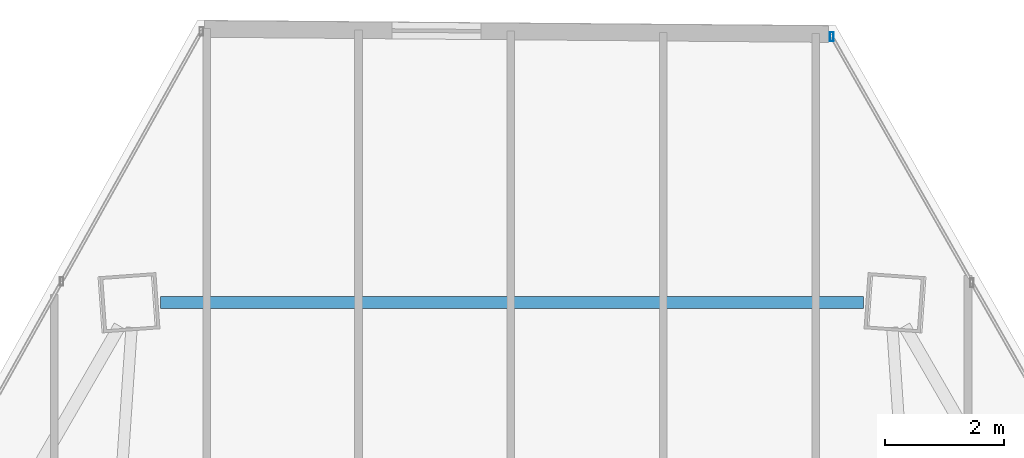
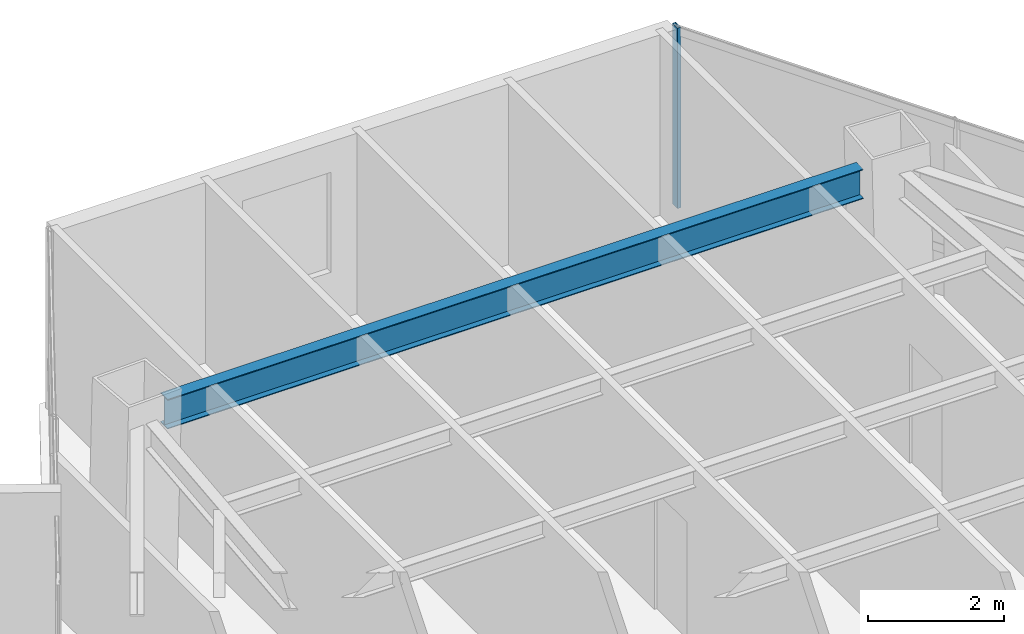
# One storey, part 29 of 40: 1 beam, 1 member, 1 element without a shape of its own.
"""IFC4 building model written with IfcOpenShell, lengths in metres."""

import ifcopenshell
import ifcopenshell.guid

model = None  # the IFC model being written
_history = None  # IfcOwnerHistory: only IFC2X3 demands one
_inside = {}  # id of a spatial element -> (the spatial element, [elements in it])
_under = {}  # id of a project, library or spatial element -> (it, [spatial elements below it])
_declared = {}  # id of a project -> (the project, [libraries it declares])
_typed = {}  # id of a type object -> (the type object, [elements of that type])
_made_of = {}  # id of a material, layer set ... -> (it, [elements and type objects made of it])


def new_model(schema):
    """Start an empty IFC model of exactly this schema.

    Asked for "IFC4X3", IfcOpenShell would pick the latest addendum, in which some entities
    have other attributes; the version numbers below select the first issue.
    IFC2X3 requires an IfcOwnerHistory on every rooted entity: one is made here for all.
    """
    global model, _history
    if schema == "IFC4X3":
        model = ifcopenshell.file(schema_version=(4, 3, 0, 0))
    else:
        model = ifcopenshell.file(schema=schema)
    _inside.clear()
    _under.clear()
    _declared.clear()
    _typed.clear()
    _made_of.clear()
    _history = None
    if model.schema == "IFC2X3":
        org = make("IfcOrganization", Name="unknown")
        user = make(
            "IfcPersonAndOrganization",
            ThePerson=make("IfcPerson", FamilyName="unknown"),
            TheOrganization=org,
        )
        app = make(
            "IfcApplication",
            ApplicationDeveloper=org,
            Version="unknown",
            ApplicationFullName="unknown",
            ApplicationIdentifier="unknown",
        )
        _history = make(
            "IfcOwnerHistory",
            OwningUser=user,
            OwningApplication=app,
            ChangeAction="ADDED",
            CreationDate=0,
        )
    return model


def make(cls, **values):
    """One entity of the class cls with the attributes given. An attribute that is None is left unset."""
    return model.create_entity(
        cls, **{name: value for name, value in values.items() if value is not None}
    )


def rooted(cls, **values):
    """An entity with a GlobalId (a new one), such as an element, a storey or a relation."""
    return make(cls, GlobalId=ifcopenshell.guid.new(), OwnerHistory=_history, **values)


def si_unit(unit_type, name, prefix=None):
    """IfcSIUnit, for example si_unit("LENGTHUNIT", "METRE", prefix="MILLI")."""
    return make("IfcSIUnit", UnitType=unit_type, Prefix=prefix, Name=name)


def assignment(units):
    """IfcUnitAssignment: the units of a project."""
    return None if units is None else make("IfcUnitAssignment", Units=units)


def point(xyz):
    """IfcCartesianPoint."""
    return None if xyz is None else make("IfcCartesianPoint", Coordinates=xyz)


def direction(xyz):
    """IfcDirection."""
    return None if xyz is None else make("IfcDirection", DirectionRatios=xyz)


def frame(location, z_axis=None, x_axis=None):
    """IfcAxis2Placement3D, a coordinate frame: its origin and axes. An axis left out is left unset."""
    return make(
        "IfcAxis2Placement3D",
        Location=point(location),
        Axis=direction(z_axis),
        RefDirection=direction(x_axis),
    )


def frame_2d(location, x_axis=None):
    """IfcAxis2Placement2D, a coordinate frame in the plane: its origin and x axis."""
    return make(
        "IfcAxis2Placement2D", Location=point(location), RefDirection=direction(x_axis)
    )


def origin():
    """The frame at (0, 0, 0) with its axes left unset."""
    return frame((0.0, 0.0, 0.0))


def origin_2d():
    """The frame at (0, 0) in the plane with its x axis left unset."""
    return frame_2d((0.0, 0.0))


def place(relative_to, where):
    """IfcLocalPlacement: puts the frame where relative to a parent placement (None: the world)."""
    return make(
        "IfcLocalPlacement", PlacementRelTo=relative_to, RelativePlacement=where
    )


def context(
    kind, dimensions, precision=None, world=None, true_north=None, identifier=None
):
    """IfcGeometricRepresentationContext, for example the 3D "Model" context."""
    return make(
        "IfcGeometricRepresentationContext",
        ContextIdentifier=identifier,
        ContextType=kind,
        CoordinateSpaceDimension=dimensions,
        Precision=precision,
        WorldCoordinateSystem=world,
        TrueNorth=true_north,
    )


def subcontext(parent, identifier, kind, view, scale=None):
    """IfcGeometricRepresentationSubContext, for example "Body" below "Model"."""
    return make(
        "IfcGeometricRepresentationSubContext",
        ContextIdentifier=identifier,
        ContextType=kind,
        ParentContext=parent,
        TargetScale=scale,
        TargetView=view,
    )


def project(units=None, contexts=None):
    """IfcProject with its units and contexts."""
    return rooted(
        "IfcProject",
        Name="project",
        RepresentationContexts=contexts,
        UnitsInContext=assignment(units),
    )


def spatial(cls, under=None, at=None, **own):
    """A site, building, storey or space (cls), placed at a placement, below another one or the project."""
    s = rooted(cls, ObjectPlacement=at, **own)
    if under is not None:
        _under.setdefault(under.id(), (under, []))[1].append(s)
    return s


def profile(cls, at=None, kind="AREA", **sizes):
    """A parametric profile (cls). Its sizes go by their IFC names, for example OverallWidth=200.0."""
    return make(cls, ProfileType=kind, Position=at, **sizes)


def hollow_rectangle(**sizes):
    """IfcRectangleHollowProfileDef."""
    return profile("IfcRectangleHollowProfileDef", **sizes)


def i_section(**sizes):
    """IfcIShapeProfileDef."""
    return profile("IfcIShapeProfileDef", **sizes)


def extrude(swept, where, along, depth):
    """IfcExtrudedAreaSolid: the profile swept, set in the frame where, extruded along a direction by depth."""
    return make(
        "IfcExtrudedAreaSolid",
        SweptArea=swept,
        Position=where,
        ExtrudedDirection=direction(along),
        Depth=depth,
    )


def shape(context_of_items, identifier, shape_type, items):
    """IfcShapeRepresentation: the items that make up one representation, for example the "Body"."""
    return make(
        "IfcShapeRepresentation",
        ContextOfItems=context_of_items,
        RepresentationIdentifier=identifier,
        RepresentationType=shape_type,
        Items=items,
    )


def source(mapping_origin, context_of_items, identifier, shape_type, items):
    """IfcRepresentationMap: a shape defined once, which mapped items show again and again."""
    return make(
        "IfcRepresentationMap",
        MappingOrigin=mapping_origin,
        MappedRepresentation=shape(context_of_items, identifier, shape_type, items),
    )


def transform(
    local_origin,
    x_axis=None,
    y_axis=None,
    z_axis=None,
    scale=None,
    scale2=None,
    scale3=None,
    uniform=True,
):
    """IfcCartesianTransformationOperator3D, or its non-uniform kind. x_axis, y_axis, z_axis: its Axis1, 2, 3."""
    if uniform:
        return make(
            "IfcCartesianTransformationOperator3D",
            Axis1=direction(x_axis),
            Axis2=direction(y_axis),
            LocalOrigin=point(local_origin),
            Scale=scale,
            Axis3=direction(z_axis),
        )
    return make(
        "IfcCartesianTransformationOperator3DnonUniform",
        Axis1=direction(x_axis),
        Axis2=direction(y_axis),
        LocalOrigin=point(local_origin),
        Scale=scale,
        Axis3=direction(z_axis),
        Scale2=scale2,
        Scale3=scale3,
    )


def mapped(mapping_source, mapping_target):
    """IfcMappedItem: shows the shape of a source again, moved by a transform."""
    return make(
        "IfcMappedItem", MappingSource=mapping_source, MappingTarget=mapping_target
    )


def material(Name=None, Category=None):
    """IfcMaterial."""
    return make("IfcMaterial", Name=Name, Category=Category)


def material_profile(
    of_material, cross_section, Name=None, Category=None, Priority=None
):
    """IfcMaterialProfile: a cross section and its material."""
    return make(
        "IfcMaterialProfile",
        Name=Name,
        Material=of_material,
        Profile=cross_section,
        Priority=Priority,
        Category=Category,
    )


def profile_set(profiles, Name=None, composite=None):
    """IfcMaterialProfileSet."""
    return make(
        "IfcMaterialProfileSet",
        Name=Name,
        MaterialProfiles=profiles,
        CompositeProfile=composite,
    )


def made_of(thing, what):
    """Note that an element or type object is made of a material, layer set ...; save() writes the relation."""
    if what is not None:
        _made_of.setdefault(what.id(), (what, []))[1].append(thing)
    return thing


def type_object(cls, material=None, **own):
    """A type object (cls), such as IfcWallType, which elements share."""
    return made_of(rooted(cls, **own), material)


def type_shapes(of_type, sources):
    """Give a type object the sources (RepresentationMaps) that its elements show as mapped items."""
    of_type.RepresentationMaps = sources


def element(
    cls,
    number,
    at=None,
    inside=None,
    cuts=None,
    type_object=None,
    material=None,
    context=None,
    identifier="Body",
    shape_type=None,
    held_by="IfcProductDefinitionShape",
    body=None,
    shapes=None,
    **own,
):
    """One element of the class cls, such as IfcWall. Its Tag is "e" and its number.

    at: its placement. inside: the storey or other place that contains it. cuts: it is an
    opening in that element (IfcRelVoidsElement). A single representation is given by context,
    identifier, shape_type and body (its items); several are given by shapes. held_by: the class
    of the entity that holds the representations. save() writes the other relations.
    """
    e = rooted(cls, Tag="e%d" % number, ObjectPlacement=at, **own)
    if body is not None:
        shapes = [shape(context, identifier, shape_type, body)]
    if shapes is not None:
        e.Representation = make(held_by, Representations=shapes)
    if inside is not None:
        _inside.setdefault(inside.id(), (inside, []))[1].append(e)
    if cuts is not None:
        rooted(
            "IfcRelVoidsElement", RelatingBuildingElement=cuts, RelatedOpeningElement=e
        )
    if type_object is not None:
        _typed.setdefault(type_object.id(), (type_object, []))[1].append(e)
    return made_of(e, material)


def aggregate(whole, parts):
    """IfcRelAggregates: a whole, such as a stair, and the parts it consists of."""
    return rooted("IfcRelAggregates", RelatingObject=whole, RelatedObjects=parts)


def save(model, path):
    """Write the relations noted so far, then the file.

    IfcRelAggregates (storeys below a building ...), IfcRelContainedInSpatialStructure (elements
    in a storey), IfcRelDefinesByType, IfcRelAssociatesMaterial and IfcRelDeclares: one each for
    every whole, place, type object, material and project.
    """
    for whole, parts in _under.values():
        aggregate(whole, parts)
    for where, things in _inside.values():
        rooted(
            "IfcRelContainedInSpatialStructure",
            RelatedElements=things,
            RelatingStructure=where,
        )
    for kind, things in _typed.values():
        rooted("IfcRelDefinesByType", RelatedObjects=things, RelatingType=kind)
    for what, things in _made_of.values():
        rooted("IfcRelAssociatesMaterial", RelatedObjects=things, RelatingMaterial=what)
    for by, libraries in _declared.values():
        rooted("IfcRelDeclares", RelatingContext=by, RelatedDefinitions=libraries)
    model.write(path)


model = new_model("IFC4")

# Units and contexts
model_context = context("Model", 3, precision=1e-05, world=origin(), true_north=direction((0.0, 1.0)))
body_context = subcontext(model_context, "Body", "Model", "MODEL_VIEW")
ifc_project = project(units=[si_unit("LENGTHUNIT", "METRE"), si_unit("AREAUNIT", "SQUARE_METRE"), si_unit("VOLUMEUNIT", "CUBIC_METRE"), si_unit("PLANEANGLEUNIT", "RADIAN"), si_unit("MASSUNIT", "GRAM", prefix="KILO")], contexts=[model_context])

# Site, building, storey
site_placement = place(None, origin())
site = spatial("IfcSite", under=ifc_project, at=site_placement, CompositionType="ELEMENT")
building_placement = place(site_placement, origin())
building = spatial("IfcBuilding", under=site, at=building_placement, Name="Caelisora Broadcast Tower", CompositionType="ELEMENT")
storey_placement = place(building_placement, frame((0.0, 0.0, 146.39990234375)))
storey = spatial("IfcBuildingStorey", under=building, at=storey_placement, Name="L38", CompositionType="ELEMENT", Elevation=146.39990234375)

# Beam
ifc_material_1 = material(Name="Steel Grade 350 (AS/NZS 3679.1)", Category="steel")
ifc_material_profile_1 = material_profile(ifc_material_1, i_section(OverallWidth=0.208984375, OverallDepth=0.532958984375, WebThickness=0.01025390625, FlangeThickness=0.015625, at=origin_2d()), Name="Steel Grade 350 (AS/NZS 3679.1)")
ifc_profile_set_1 = profile_set([ifc_material_profile_1], Name="Steel Grade 350 (AS/NZS 3679.1)")
beam_type = type_object("IfcBeamType", Name="PG05", PredefinedType="BEAM", material=ifc_profile_set_1)
shared_shape_1 = source(origin(), body_context, "Body", "SweptSolid", [
    extrude(i_section(OverallWidth=0.208984375, OverallDepth=0.532958984375, WebThickness=0.01025390625, FlangeThickness=0.015625, at=origin_2d()), origin(), (0.0, 0.0, 1.0), 11.85302734375),
])
type_shapes(beam_type, [shared_shape_1])
beam_placement = place(storey_placement, frame((43.926513671875, 46.487548828125, 2.983642578125), z_axis=(-1.0, 0.0, 0.0), x_axis=(0.0, -1.0, 0.0)))
element("IfcBeam", 1, at=beam_placement, inside=storey, type_object=beam_type, Name="L38 beam PG05", PredefinedType="BEAM", context=body_context, shape_type="MappedRepresentation", body=[
    mapped(shared_shape_1, transform((0.0, 0.0, 0.0), scale=1.0)),
])

# Curtain wall, member
ifc_material_2 = material(Name="Unitised Aluminium and Low-E Glass Curtain Wall", Category="glass")
curtain_wall_type = type_object("IfcCurtainWallType", Name="CW-Z3", PredefinedType="NOTDEFINED", material=ifc_material_2)
curtain_wall_placement = place(storey_placement, origin())
curtain_wall = element("IfcCurtainWall", 2, at=curtain_wall_placement, inside=storey, type_object=curtain_wall_type, Name="L38 curtain wall CW-Z3", PredefinedType="NOTDEFINED")
ifc_material_3 = material(Name="Aluminium 6063-T6 Anodised Terracotta Bronze", Category="aluminium")
ifc_material_profile_2 = material_profile(ifc_material_3, hollow_rectangle(XDim=0.06005859375, YDim=0.14990234375, WallThickness=0.00341796875, at=origin_2d()), Name="Aluminium 6063-T6 Anodised Terracotta Bronze")
ifc_profile_set_2 = profile_set([ifc_material_profile_2], Name="Aluminium 6063-T6 Anodised Terracotta Bronze")
member_type = type_object("IfcMemberType", Name="CWM-03", PredefinedType="MULLION", material=ifc_profile_set_2)
shared_shape_2 = source(origin(), body_context, "Body", "SweptSolid", [
    extrude(hollow_rectangle(XDim=0.06005859375, YDim=0.14990234375, WallThickness=0.00341796875, at=origin_2d()), origin(), (0.0, 0.0, 1.0), 3.25),
])
type_shapes(member_type, [shared_shape_2])
member_placement = place(storey_placement, frame((43.392578125, 50.969482421875, 0.0), z_axis=(0.0, 0.0, 1.0), x_axis=(1.0, 0.0, 0.0)))
member = element("IfcMember", 3, at=member_placement, type_object=member_type, Name="L38-CW-B01 mullion #0", PredefinedType="MULLION", context=body_context, shape_type="MappedRepresentation", body=[
    mapped(shared_shape_2, transform((0.0, 0.0, 0.0), scale=1.0)),
])
aggregate(curtain_wall, [member])

save(model, "model.ifc")
